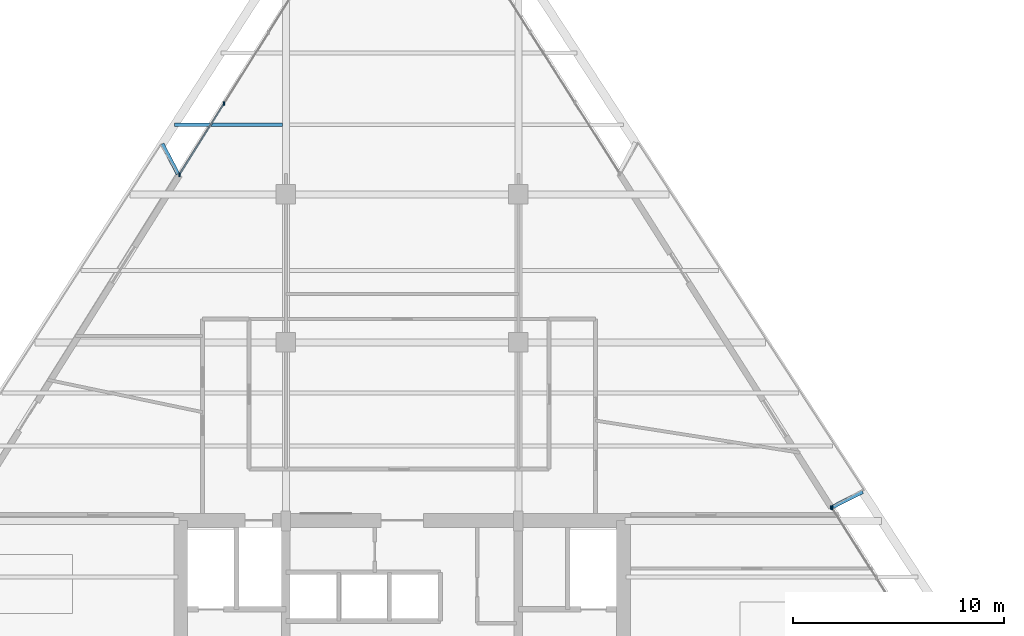
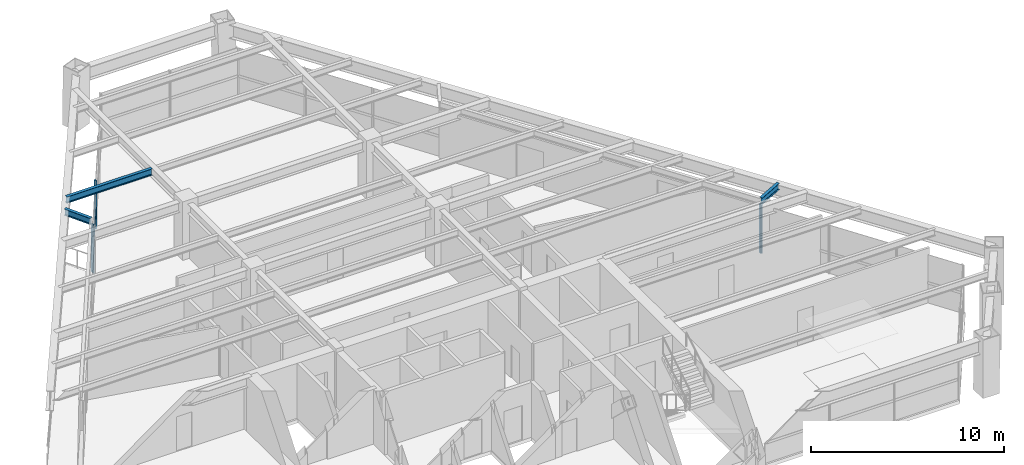
# One storey, part 8 of 15: 6 members, 3 beams, 2 elements without a shape of their own.
"""IFC4 building model written with IfcOpenShell, lengths in metres."""

from ifc_helpers import new_model, si_unit, direction, frame, origin, origin_2d, place, context, subcontext, project, spatial, rectangle, i_section, extrude, source, transform, mapped, material, material_profile, profile_set, type_object, element, aggregate, save


model = new_model("IFC4")

# Units and contexts
model_context = context("Model", 3, precision=1e-05, world=origin(), true_north=direction((0.0, 1.0)))
body_context = subcontext(model_context, "Body", "Model", "MODEL_VIEW")
ifc_project = project(units=[si_unit("LENGTHUNIT", "METRE"), si_unit("AREAUNIT", "SQUARE_METRE"), si_unit("VOLUMEUNIT", "CUBIC_METRE"), si_unit("PLANEANGLEUNIT", "RADIAN"), si_unit("MASSUNIT", "GRAM", prefix="KILO")], contexts=[model_context])

# Site, building, storey
site_placement = place(None, origin())
site = spatial("IfcSite", under=ifc_project, at=site_placement, CompositionType="ELEMENT")
building_placement = place(site_placement, origin())
building = spatial("IfcBuilding", under=site, at=building_placement, Name="Varnakhor Terracotta Tower", CompositionType="ELEMENT")
storey_placement = place(building_placement, frame((0.0, 0.0, 174.699951171875)))
storey = spatial("IfcBuildingStorey", under=building, at=storey_placement, Name="L44", CompositionType="ELEMENT", Elevation=174.699951171875)

# Beams
ifc_material_1 = material(Name="Steel S355", Category="steel")
ifc_material_profile_1 = material_profile(ifc_material_1, i_section(OverallWidth=0.179931640625, OverallDepth=0.4130859375, WebThickness=0.009765625, FlangeThickness=0.01611328125, FilletRadius=0.01806640625, at=origin_2d()), Name="W16X50")
ifc_profile_set_1 = profile_set([ifc_material_profile_1], Name="Steel S355")
beam_type_1 = type_object("IfcBeamType", Name="JST-W16X50", PredefinedType="JOIST", material=ifc_profile_set_1)
shared_shape_1 = source(origin(), body_context, "Body", "SweptSolid", [
    extrude(i_section(OverallWidth=0.179931640625, OverallDepth=0.4130859375, WebThickness=0.009765625, FlangeThickness=0.01611328125, FilletRadius=0.01806640625, at=origin_2d()), origin(), (0.0, 0.0, 1.0), 5.110107421875),
])
beam_1_placement = place(storey_placement, frame((-10.7685546875, 34.800048828125, 3.263427734375), z_axis=(1.0, 0.0, 0.0), x_axis=(0.0, 1.0, 0.0)))
element("IfcBeam", 1, at=beam_1_placement, inside=storey, type_object=beam_type_1, Name="L44 Composite Floor Joist 7-1", PredefinedType="JOIST", context=body_context, shape_type="MappedRepresentation", body=[
    mapped(shared_shape_1, transform((0.0, 0.0, 0.0), scale=1.0)),
])
ifc_material_profile_2 = material_profile(ifc_material_1, i_section(OverallWidth=0.179931640625, OverallDepth=0.39990234375, WebThickness=0.008544921875, FlangeThickness=0.013427734375, FilletRadius=0.01806640625, at=origin_2d()), Name="IPE400")
ifc_profile_set_2 = profile_set([ifc_material_profile_2], Name="Steel S355")
beam_type_2 = type_object("IfcBeamType", Name="JST-IPE400", PredefinedType="JOIST", material=ifc_profile_set_2)
shared_shape_2 = source(origin(), body_context, "Body", "SweptSolid", [
    extrude(i_section(OverallWidth=0.179931640625, OverallDepth=0.39990234375, WebThickness=0.008544921875, FlangeThickness=0.013427734375, FilletRadius=0.01806640625, at=origin_2d()), origin(), (0.0, 0.0, 1.0), 1.60546875),
])
beam_2_placement = place(storey_placement, frame((-10.608642578125, 32.467041015625, 3.27001953125), z_axis=(-0.464103588614, 0.885780931741, 0.0), x_axis=(-0.885780931741, -0.464103588614, 0.0)))
element("IfcBeam", 2, at=beam_2_placement, inside=storey, type_object=beam_type_2, Name="L45 W Loggia Tie Beam 2", PredefinedType="JOIST", context=body_context, shape_type="MappedRepresentation", body=[
    mapped(shared_shape_2, transform((0.0, 0.0, 0.0), scale=1.0)),
])

# Curtain wall, members
ifc_material_2 = material(Name="Anodised Aluminium Curtain Wall System", Category="aluminium")
curtain_wall_type = type_object("IfcCurtainWallType", Name="CW-SYS-MID-OFFICE", PredefinedType="NOTDEFINED", material=ifc_material_2)
curtain_wall_1_placement = place(storey_placement, origin())
curtain_wall_1 = element("IfcCurtainWall", 3, at=curtain_wall_1_placement, inside=storey, type_object=curtain_wall_type, Name="L44 W Facet Curtain Wall 2", PredefinedType="NOTDEFINED")
ifc_material_3 = material(Name="Anodised Aluminium 6063-T6", Category="aluminium")
ifc_material_profile_3 = material_profile(ifc_material_3, rectangle(XDim=0.070068359375, YDim=0.175048828125, at=origin_2d()), Name="ALU MULLION 70x175")
ifc_profile_set_3 = profile_set([ifc_material_profile_3], Name="Anodised Aluminium 6063-T6")
member_type_1 = type_object("IfcMemberType", Name="CWM-03", PredefinedType="MULLION", material=ifc_profile_set_3)
shared_shape_3 = source(origin(), body_context, "Body", "SweptSolid", [
    extrude(rectangle(XDim=0.070068359375, YDim=0.175048828125, at=origin_2d()), origin(), (0.0, 0.0, 1.0), 3.050048828125),
])
member_1_placement = place(storey_placement, frame((-10.533447265625, 32.45068359375, 0.0), z_axis=(0.0, 0.0, 1.0), x_axis=(1.0, 0.0, 0.0)))
member_1 = element("IfcMember", 4, at=member_1_placement, type_object=member_type_1, Name="L44 W Facet Curtain Wall 2 Mullion 1", PredefinedType="MULLION", context=body_context, shape_type="MappedRepresentation", body=[
    mapped(shared_shape_3, transform((0.0, 0.0, 0.0), scale=1.0)),
])
member_2_placement = place(storey_placement, frame((-8.42578125, 35.806640625, 0.0), z_axis=(0.0, 0.0, 1.0), x_axis=(1.0, 0.0, 0.0)))
member_2 = element("IfcMember", 5, at=member_2_placement, type_object=member_type_1, Name="L44 W Facet Curtain Wall 2 Mullion 2", PredefinedType="MULLION", context=body_context, shape_type="MappedRepresentation", body=[
    mapped(shared_shape_3, transform((0.0, 0.0, 0.0), scale=1.0)),
])
member_3_placement = place(storey_placement, frame((-10.532470703125, 32.414794921875, 0.0), z_axis=(0.0, 0.0, 1.0), x_axis=(1.0, 0.0, 0.0)))
member_3 = element("IfcMember", 6, at=member_3_placement, type_object=member_type_1, Name="L44 W Loggia Jamb Closure Mullion 2", PredefinedType="MULLION", context=body_context, shape_type="MappedRepresentation", body=[
    mapped(shared_shape_3, transform((0.0, 0.0, 0.0), scale=1.0)),
])

curtain_wall_2_placement = place(storey_placement, origin())
curtain_wall_2 = element("IfcCurtainWall", 7, at=curtain_wall_2_placement, inside=storey, type_object=curtain_wall_type, Name="L44 E Facet Curtain Wall 2", PredefinedType="NOTDEFINED")
member_4_placement = place(storey_placement, frame((20.33251953125, 16.678466796875, 0.0), z_axis=(0.0, 0.0, 1.0), x_axis=(1.0, 0.0, 0.0)))
member_4 = element("IfcMember", 8, at=member_4_placement, type_object=member_type_1, Name="L44 E Facet Curtain Wall 2 Mullion 1", PredefinedType="MULLION", context=body_context, shape_type="MappedRepresentation", body=[
    mapped(shared_shape_3, transform((0.0, 0.0, 0.0), scale=1.0)),
])
member_5_placement = place(storey_placement, frame((20.299560546875, 16.693115234375, 0.0), z_axis=(0.0, 0.0, 1.0), x_axis=(1.0, 0.0, 0.0)))
member_5 = element("IfcMember", 9, at=member_5_placement, type_object=member_type_1, Name="L44 E Loggia Jamb Closure Mullion 2", PredefinedType="MULLION", context=body_context, shape_type="MappedRepresentation", body=[
    mapped(shared_shape_3, transform((0.0, 0.0, 0.0), scale=1.0)),
])
aggregate(curtain_wall_2, [member_4, member_5])

# Beam
shared_shape_4 = source(origin(), body_context, "Body", "SweptSolid", [
    extrude(i_section(OverallWidth=0.179931640625, OverallDepth=0.39990234375, WebThickness=0.008544921875, FlangeThickness=0.013427734375, FilletRadius=0.01806640625, at=origin_2d()), origin(), (0.0, 0.0, 1.0), 1.62548828125),
])
beam_3_placement = place(storey_placement, frame((20.33203125, 16.69580078125, 3.27001953125), z_axis=(0.893101506149, 0.449855198607, 0.0), x_axis=(-0.449855198607, 0.893101506149, 0.0)))
element("IfcBeam", 10, at=beam_3_placement, inside=storey, type_object=beam_type_2, Name="L45 E Loggia Tie Beam 2", PredefinedType="JOIST", context=body_context, shape_type="MappedRepresentation", body=[
    mapped(shared_shape_4, transform((0.0, 0.0, 0.0), scale=1.0)),
])

# Member
ifc_material_profile_4 = material_profile(ifc_material_3, rectangle(XDim=0.070068359375, YDim=0.155029296875, at=origin_2d()), Name="ALU TRANSOM 70x155")
ifc_profile_set_4 = profile_set([ifc_material_profile_4], Name="Anodised Aluminium 6063-T6")
member_type_2 = type_object("IfcMemberType", Name="CWT-03", PredefinedType="USERDEFINED", material=ifc_profile_set_4)
shared_shape_5 = source(origin(), body_context, "Body", "SweptSolid", [
    extrude(rectangle(XDim=0.070068359375, YDim=0.155029296875, at=origin_2d()), origin(), (0.0, 0.0, 1.0), 3.962890625),
])
member_6_placement = place(storey_placement, frame((-10.533447265625, 32.45068359375, 1.281005859375), z_axis=(0.531847252978, 0.846840303422, 0.0), x_axis=(-0.846840303422, 0.531847252978, 0.0)))
member_6 = element("IfcMember", 11, at=member_6_placement, type_object=member_type_2, Name="L44 W Facet Curtain Wall 2 Transom 1", ObjectType="TRANSOM", PredefinedType="USERDEFINED", context=body_context, shape_type="MappedRepresentation", body=[
    mapped(shared_shape_5, transform((0.0, 0.0, 0.0), scale=1.0)),
])

aggregate(curtain_wall_1, [member_1, member_6, member_2, member_3])

save(model, "model.ifc")
